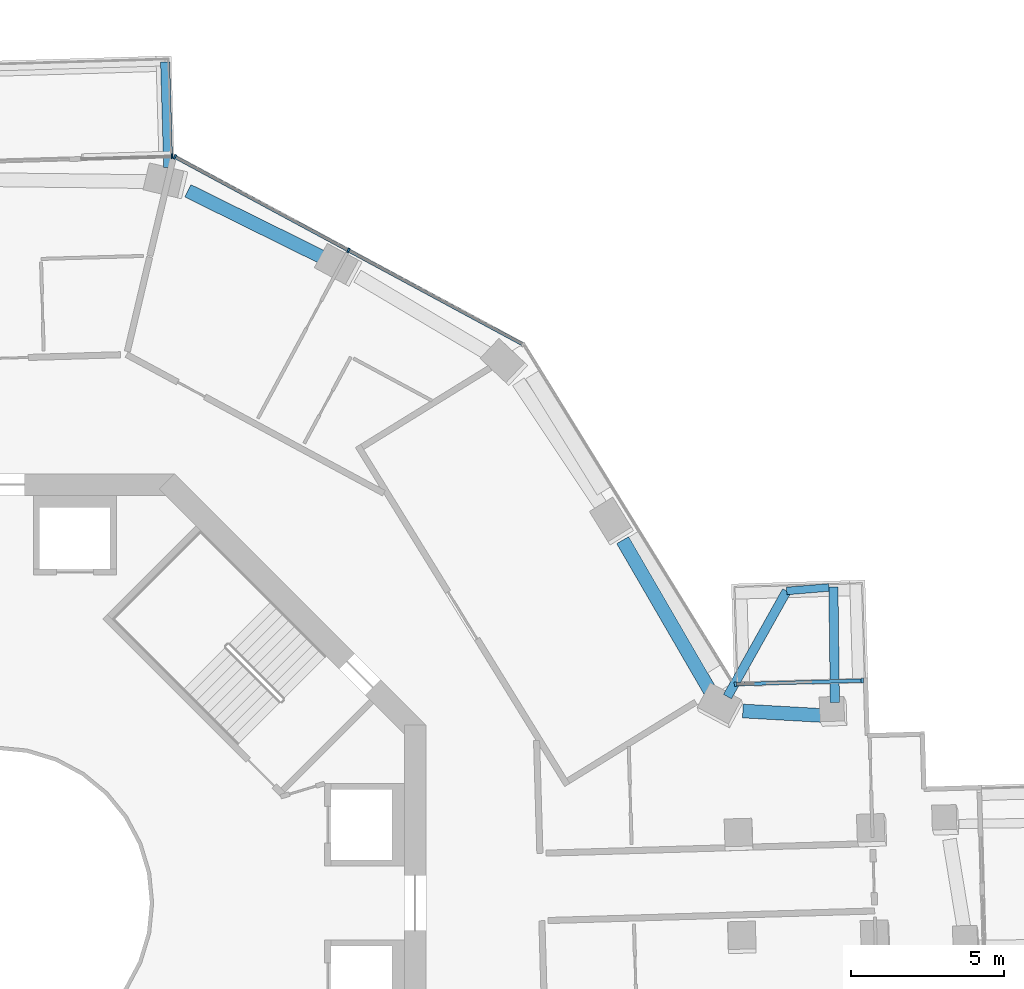
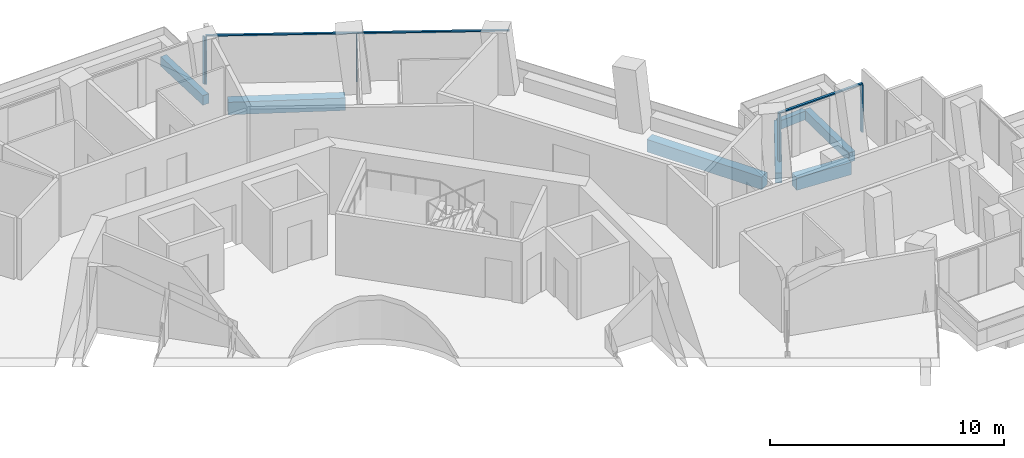
# One storey, part 9 of 22: 7 beams, 7 members, 3 elements without a shape of their own.
"""IFC4 building model written with IfcOpenShell, lengths in metres."""

from ifc_helpers import new_model, si_unit, direction, frame, origin, origin_2d, place, context, subcontext, project, spatial, rectangle, extrude, material, layer, layer_set, material_profile, profile_set, type_object, element, aggregate, save


model = new_model("IFC4")

# Units and contexts
model_context = context("Model", 3, precision=1e-05, world=origin(), true_north=direction((0.0, 1.0)))
body_context = subcontext(model_context, "Body", "Model", "MODEL_VIEW")
ifc_project = project(units=[si_unit("LENGTHUNIT", "METRE"), si_unit("AREAUNIT", "SQUARE_METRE"), si_unit("VOLUMEUNIT", "CUBIC_METRE"), si_unit("PLANEANGLEUNIT", "RADIAN"), si_unit("MASSUNIT", "GRAM", prefix="KILO")], contexts=[model_context])

# Site, building, storey
site_placement = place(None, origin())
site = spatial("IfcSite", under=ifc_project, at=site_placement, CompositionType="ELEMENT")
building_placement = place(site_placement, origin())
building = spatial("IfcBuilding", under=site, at=building_placement, Name="Verdalira Terraces Hotel", CompositionType="ELEMENT")
storey_placement = place(building_placement, frame((0.0, 0.0, 162.0)))
storey = spatial("IfcBuildingStorey", under=building, at=storey_placement, Name="L39", CompositionType="ELEMENT", Elevation=162.0)

# Beams
ifc_material_1 = material(Name="Concrete C40", Category="concrete")
ifc_material_profile_1 = material_profile(ifc_material_1, rectangle(XDim=0.300049, YDim=0.5, at=origin_2d()), Name="RC 300X500")
ifc_profile_set_1 = profile_set([ifc_material_profile_1], Name="Concrete C40")
beam_type_1 = type_object("IfcBeamType", Name="Balcony cantilever beam RC 300X500 C40", PredefinedType="BEAM", material=ifc_profile_set_1)
beam_1_placement = place(storey_placement, frame((27.341064, 6.533203, -0.560059), z_axis=(-0.01255727, 0.999921154, 0.0), x_axis=(-0.999921154, -0.01255727, 0.0)))
element("IfcBeam", 1, at=beam_1_placement, inside=storey, type_object=beam_type_1, Name="Balcony cantilever beam R38-1", PredefinedType="BEAM", context=body_context, shape_type="SweptSolid", body=[
    extrude(rectangle(XDim=0.300049, YDim=0.5, at=origin_2d()), origin(), (0.0, 0.0, 1.0), 3.771729),
])
beam_2_placement = place(storey_placement, frame((23.837402, 6.732422, -0.560059), z_axis=(0.489113361, 0.872220225, 0.0), x_axis=(-0.872220225, 0.489113361, 0.0)))
element("IfcBeam", 2, at=beam_2_placement, inside=storey, type_object=beam_type_1, Name="Balcony cantilever beam R38-2", PredefinedType="BEAM", context=body_context, shape_type="SweptSolid", body=[
    extrude(rectangle(XDim=0.300049, YDim=0.5, at=origin_2d()), origin(), (0.0, 0.0, 1.0), 3.949707),
])
beam_3_placement = place(storey_placement, frame((5.594971, 24.001221, -0.560059), z_axis=(-0.029313328, 0.999570272, 0.0), x_axis=(-0.999570272, -0.029313328, 0.0)))
element("IfcBeam", 3, at=beam_3_placement, inside=storey, type_object=beam_type_1, Name="Balcony cantilever beam R41-2", PredefinedType="BEAM", context=body_context, shape_type="SweptSolid", body=[
    extrude(rectangle(XDim=0.300049, YDim=0.5, at=origin_2d()), origin(), (0.0, 0.0, 1.0), 3.431396),
])
ifc_material_2 = material(Name="Concrete C40", Category="concrete")
ifc_material_profile_2 = material_profile(ifc_material_2, rectangle(XDim=0.25, YDim=0.449951, at=origin_2d()), Name="RC 250X450")
ifc_profile_set_2 = profile_set([ifc_material_profile_2], Name="Concrete C40")
beam_type_2 = type_object("IfcBeamType", Name="Balcony edge beam RC 250X450 C40", PredefinedType="BEAM", material=ifc_profile_set_2)
beam_4_placement = place(storey_placement, frame((27.143799, 10.292236, -0.534912), z_axis=(-0.99653354, -0.083191965, 0.0), x_axis=(0.083191965, -0.99653354, 0.0)))
element("IfcBeam", 4, at=beam_4_placement, inside=storey, type_object=beam_type_2, Name="Balcony edge beam R38-1", PredefinedType="BEAM", context=body_context, shape_type="SweptSolid", body=[
    extrude(rectangle(XDim=0.25, YDim=0.449951, at=origin_2d()), origin(), (0.0, 0.0, 1.0), 1.379395),
])

# Curtain wall, members
ifc_material_3 = material(Name="Clear glass", Category="glass")
ifc_layer_1 = layer(ifc_material_3, 0.14990234375)
ifc_layer_set_1 = layer_set([ifc_layer_1], Name="CW1 curtain wall")
curtain_wall_type_1 = type_object("IfcCurtainWallType", Name="CW1 curtain wall", PredefinedType="NOTDEFINED", material=ifc_layer_set_1)
curtain_wall_1_placement = place(storey_placement, origin())
curtain_wall_1 = element("IfcCurtainWall", 5, at=curtain_wall_1_placement, inside=storey, type_object=curtain_wall_type_1, Name="CW1 curtain wall L39 edge 40", PredefinedType="NOTDEFINED")
ifc_material_4 = material(Name="Terracotta frame", Category="masonry")
ifc_material_profile_3 = material_profile(ifc_material_4, rectangle(XDim=0.060059, YDim=0.149902, at=origin_2d()), Name="MU 60x150")
ifc_profile_set_3 = profile_set([ifc_material_profile_3], Name="Terracotta frame")
member_type_1 = type_object("IfcMemberType", Name="CW1 mullion 60x150", PredefinedType="MULLION", material=ifc_profile_set_3)
member_1_placement = place(storey_placement, frame((11.472412, 21.288818, 0.0), z_axis=(0.0, 0.0, 1.0), x_axis=(-0.880311812, 0.474395525, 0.0)))
member_1 = element("IfcMember", 6, at=member_1_placement, type_object=member_type_1, Name="CW1 mullion", PredefinedType="MULLION", context=body_context, shape_type="SweptSolid", body=[
    extrude(rectangle(XDim=0.060059, YDim=0.149902, at=origin_2d()), origin(), (0.0, 0.0, 1.0), 2.475098),
])
member_2_placement = place(storey_placement, frame((5.812256, 24.339111, 0.0), z_axis=(0.0, 0.0, 1.0), x_axis=(-0.880311812, 0.474395525, 0.0)))
member_2 = element("IfcMember", 7, at=member_2_placement, type_object=member_type_1, Name="CW1 mullion", PredefinedType="MULLION", context=body_context, shape_type="SweptSolid", body=[
    extrude(rectangle(XDim=0.060059, YDim=0.149902, at=origin_2d()), origin(), (0.0, 0.0, 1.0), 2.475098),
])

# Curtain wall, member
curtain_wall_2_placement = place(storey_placement, origin())
curtain_wall_2 = element("IfcCurtainWall", 8, at=curtain_wall_2_placement, inside=storey, type_object=curtain_wall_type_1, Name="CW1 curtain wall L39 edge 41", PredefinedType="NOTDEFINED")
member_3_placement = place(storey_placement, frame((5.718018, 24.361328, 0.0), z_axis=(0.0, 0.0, 1.0), x_axis=(-0.999570155, -0.02931733, 0.0)))
member_3 = element("IfcMember", 9, at=member_3_placement, type_object=member_type_1, Name="CW1 mullion", PredefinedType="MULLION", context=body_context, shape_type="SweptSolid", body=[
    extrude(rectangle(XDim=0.060059, YDim=0.149902, at=origin_2d()), origin(), (0.0, 0.0, 1.0), 2.475098),
])
aggregate(curtain_wall_2, [member_3])

# Member
ifc_material_5 = material(Name="Terracotta frame", Category="masonry")
ifc_material_profile_4 = material_profile(ifc_material_5, rectangle(XDim=0.110107, YDim=0.064941, at=origin_2d()), Name="TR 65x110")
ifc_profile_set_4 = profile_set([ifc_material_profile_4], Name="Terracotta frame")
member_type_2 = type_object("IfcMemberType", Name="CW1 transom 65x110", PredefinedType="USERDEFINED", material=ifc_profile_set_4)
member_4_placement = place(storey_placement, frame((17.19458, 18.205322, 2.507568), z_axis=(-0.880316198, 0.474387385, 0.0), x_axis=(-0.474387385, -0.880316198, 0.0)))
member_4 = element("IfcMember", 10, at=member_4_placement, type_object=member_type_2, Name="CW1 transom", ObjectType="TRANSOM", PredefinedType="USERDEFINED", context=body_context, shape_type="SweptSolid", body=[
    extrude(rectangle(XDim=0.110107, YDim=0.064941, at=origin_2d()), origin(), (0.0, 0.0, 1.0), 12.959717),
])

aggregate(curtain_wall_1, [member_1, member_2, member_4])

# Curtain wall, members
ifc_material_6 = material(Name="Clear glass", Category="glass")
ifc_layer_2 = layer(ifc_material_6, 0.14990234375)
ifc_layer_set_2 = layer_set([ifc_layer_2], Name="CW2 curtain wall")
curtain_wall_type_2 = type_object("IfcCurtainWallType", Name="CW2 curtain wall", PredefinedType="NOTDEFINED", material=ifc_layer_set_2)
curtain_wall_3_placement = place(storey_placement, origin())
curtain_wall_3 = element("IfcCurtainWall", 11, at=curtain_wall_3_placement, inside=storey, type_object=curtain_wall_type_2, Name="CW2 curtain wall L39 edge 38", PredefinedType="NOTDEFINED")
ifc_material_7 = material(Name="Terracotta frame", Category="masonry")
ifc_material_profile_5 = material_profile(ifc_material_7, rectangle(XDim=0.070068, YDim=0.149902, at=origin_2d()), Name="MU 70x150")
ifc_profile_set_5 = profile_set([ifc_material_profile_5], Name="Terracotta frame")
member_type_3 = type_object("IfcMemberType", Name="CW2 mullion 70x150", PredefinedType="MULLION", material=ifc_profile_set_5)
member_5_placement = place(storey_placement, frame((28.23584, 7.255859, 0.0), z_axis=(0.0, 0.0, 1.0), x_axis=(-0.999570155, -0.02931733, 0.0)))
member_5 = element("IfcMember", 12, at=member_5_placement, type_object=member_type_3, Name="CW2 mullion", PredefinedType="MULLION", context=body_context, shape_type="SweptSolid", body=[
    extrude(rectangle(XDim=0.070068, YDim=0.149902, at=origin_2d()), origin(), (0.0, 0.0, 1.0), 2.475098),
])
member_6_placement = place(storey_placement, frame((24.094482, 7.134521, 0.0), z_axis=(0.0, 0.0, 1.0), x_axis=(-0.999570155, -0.02931733, 0.0)))
member_6 = element("IfcMember", 13, at=member_6_placement, type_object=member_type_3, Name="CW2 mullion", PredefinedType="MULLION", context=body_context, shape_type="SweptSolid", body=[
    extrude(rectangle(XDim=0.070068, YDim=0.149902, at=origin_2d()), origin(), (0.0, 0.0, 1.0), 2.475098),
])
ifc_material_8 = material(Name="Terracotta frame", Category="masonry")
ifc_material_profile_6 = material_profile(ifc_material_8, rectangle(XDim=0.11499, YDim=0.064941, at=origin_2d()), Name="TR 65x115")
ifc_profile_set_6 = profile_set([ifc_material_profile_6], Name="Terracotta frame")
member_type_4 = type_object("IfcMemberType", Name="CW2 transom 65x115", PredefinedType="USERDEFINED", material=ifc_profile_set_6)
member_7_placement = place(storey_placement, frame((28.270996, 7.256836, 2.507568), z_axis=(-0.999571752, -0.029262825, 0.0), x_axis=(0.029262825, -0.999571752, 0.0)))
member_7 = element("IfcMember", 14, at=member_7_placement, type_object=member_type_4, Name="CW2 transom", ObjectType="TRANSOM", PredefinedType="USERDEFINED", context=body_context, shape_type="SweptSolid", body=[
    extrude(rectangle(XDim=0.11499, YDim=0.064941, at=origin_2d()), origin(), (0.0, 0.0, 1.0), 4.213135),
])
aggregate(curtain_wall_3, [member_5, member_6, member_7])

# Beams
ifc_material_9 = material(Name="Concrete C50", Category="concrete")
ifc_material_profile_7 = material_profile(ifc_material_9, rectangle(XDim=0.449951, YDim=0.649902, at=origin_2d()), Name="RC 450X650")
ifc_profile_set_7 = profile_set([ifc_material_profile_7], Name="Concrete C50")
beam_type_3 = type_object("IfcBeamType", Name="Spandrel beam RC 450X650 C50", PredefinedType="SPANDREL", material=ifc_profile_set_7)
beam_5_placement = place(storey_placement, frame((26.945312, 6.11499, -0.63501), z_axis=(-0.998396662, 0.056604815, 0.0), x_axis=(-0.056604815, -0.998396662, 0.0)))
element("IfcBeam", 15, at=beam_5_placement, inside=storey, type_object=beam_type_3, Name="Spandrel beam B17", PredefinedType="SPANDREL", context=body_context, shape_type="SweptSolid", body=[
    extrude(rectangle(XDim=0.449951, YDim=0.649902, at=origin_2d()), origin(), (0.0, 0.0, 1.0), 2.609375),
])
beam_6_placement = place(storey_placement, frame((23.263672, 6.929199, -0.63501), z_axis=(-0.501613081, 0.865092086, 0.0), x_axis=(-0.865092086, -0.501613081, 0.0)))
element("IfcBeam", 16, at=beam_6_placement, inside=storey, type_object=beam_type_3, Name="Spandrel beam B18", PredefinedType="SPANDREL", context=body_context, shape_type="SweptSolid", body=[
    extrude(rectangle(XDim=0.449951, YDim=0.649902, at=origin_2d()), origin(), (0.0, 0.0, 1.0), 5.671631),
])
beam_7_placement = place(storey_placement, frame((10.726807, 21.012939, -0.63501), z_axis=(-0.896492575, 0.443058759, 0.0), x_axis=(-0.443058759, -0.896492575, 0.0)))
element("IfcBeam", 17, at=beam_7_placement, inside=storey, type_object=beam_type_3, Name="Spandrel beam B21", PredefinedType="SPANDREL", context=body_context, shape_type="SweptSolid", body=[
    extrude(rectangle(XDim=0.449951, YDim=0.649902, at=origin_2d()), origin(), (0.0, 0.0, 1.0), 5.012207),
])

save(model, "model.ifc")
